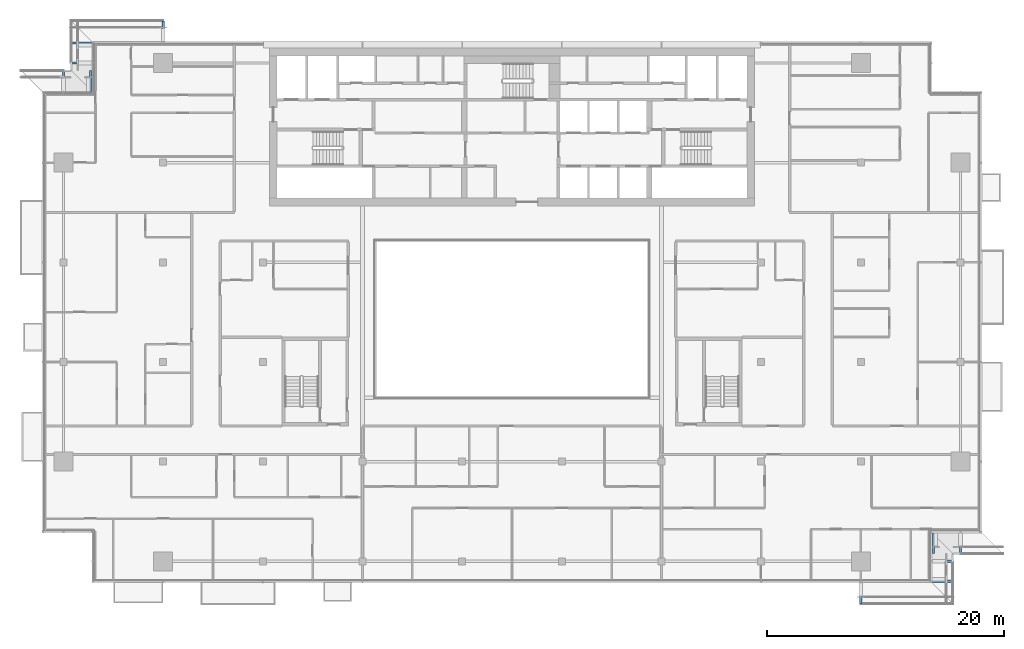
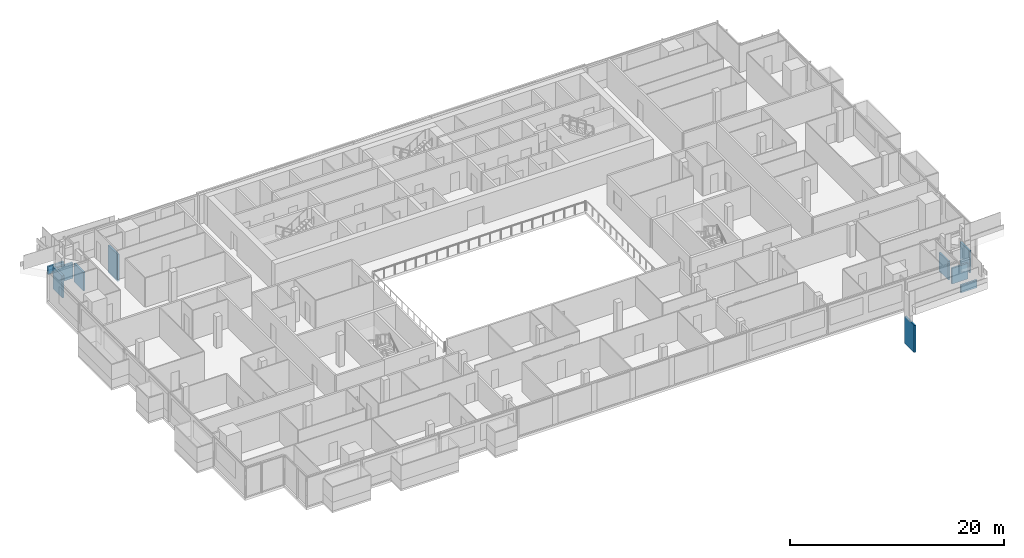
# One storey, part 25 of 30: 10 discrete accessories.
"""IFC4 building model written with IfcOpenShell, lengths in metres."""

from ifc_helpers import new_model, si_unit, direction, frame, origin, origin_2d, place, context, subcontext, project, spatial, rectangle, extrude, element, save


model = new_model("IFC4")

# Units and contexts
model_context = context("Model", 3, precision=1e-05, world=origin(), true_north=direction((0.0, 1.0)))
body_context = subcontext(model_context, "Body", "Model", "MODEL_VIEW")
ifc_project = project(units=[si_unit("LENGTHUNIT", "METRE"), si_unit("AREAUNIT", "SQUARE_METRE"), si_unit("VOLUMEUNIT", "CUBIC_METRE"), si_unit("PLANEANGLEUNIT", "RADIAN"), si_unit("MASSUNIT", "GRAM", prefix="KILO")], contexts=[model_context])

# Site, building, storey
site_placement = place(None, origin())
site = spatial("IfcSite", under=ifc_project, at=site_placement, CompositionType="ELEMENT")
building_placement = place(site_placement, origin())
building = spatial("IfcBuilding", under=site, at=building_placement, Name="Saffron Gate Tower", CompositionType="ELEMENT")
storey_placement = place(building_placement, frame((0.0, 0.0, 216.300048828125)))
storey = spatial("IfcBuildingStorey", under=building, at=storey_placement, Name="L52", CompositionType="ELEMENT", Elevation=216.300048828125)

# Discrete accessories
discrete_accessory_1_placement = place(storey_placement, frame((117.0, 29.125, -3.8798828125), z_axis=(0.0, 0.0, 1.0), x_axis=(1.0, 0.0, 0.0)))
element("IfcDiscreteAccessory", 1, at=discrete_accessory_1_placement, inside=storey, Name="LEDGE rib", PredefinedType="BRACKET", context=body_context, shape_type="SweptSolid", body=[
    extrude(rectangle(XDim=0.199951171875, YDim=1.75, at=origin_2d()), origin(), (0.0, 0.0, 1.0), 3.106201171875),
])
discrete_accessory_2_placement = place(storey_placement, frame((123.875, 30.1201171875, -0.280029296875), z_axis=(0.0, 0.0, 1.0), x_axis=(0.0, 1.0, 0.0)))
element("IfcDiscreteAccessory", 2, at=discrete_accessory_2_placement, inside=storey, Name="LEDGE rib", PredefinedType="BRACKET", context=body_context, shape_type="SweptSolid", body=[
    extrude(rectangle(XDim=0.199951171875, YDim=1.75, at=origin_2d()), origin(), (0.0, 0.0, 1.0), 0.87939453125),
])
discrete_accessory_3_placement = place(storey_placement, frame((123.875, 31.800048828125, -0.280029296875), z_axis=(0.0, 0.0, 1.0), x_axis=(0.0, 1.0, 0.0)))
element("IfcDiscreteAccessory", 3, at=discrete_accessory_3_placement, inside=storey, Name="LEDGE rib", PredefinedType="BRACKET", context=body_context, shape_type="SweptSolid", body=[
    extrude(rectangle(XDim=0.199951171875, YDim=1.75, at=origin_2d()), origin(), (0.0, 0.0, 1.0), 1.78857421875),
])
discrete_accessory_4_placement = place(storey_placement, frame((123.1201171875, 33.324951171875, -0.27978515625), z_axis=(0.0, 0.0, 1.0), x_axis=(1.0, 0.0, 0.0)))
element("IfcDiscreteAccessory", 4, at=discrete_accessory_4_placement, inside=storey, Name="LEDGE rib", PredefinedType="BRACKET", context=body_context, shape_type="SweptSolid", body=[
    extrude(rectangle(XDim=0.199951171875, YDim=1.75, at=origin_2d()), origin(), (0.0, 0.0, 1.0), 2.114990234375),
])
discrete_accessory_5_placement = place(storey_placement, frame((125.39990234375, 33.324951171875, -0.27978515625), z_axis=(0.0, 0.0, 1.0), x_axis=(1.0, 0.0, 0.0)))
element("IfcDiscreteAccessory", 5, at=discrete_accessory_5_placement, inside=storey, Name="LEDGE rib", PredefinedType="BRACKET", context=body_context, shape_type="SweptSolid", body=[
    extrude(rectangle(XDim=0.199951171875, YDim=1.75, at=origin_2d()), origin(), (0.0, 0.0, 1.0), 2.527099609375),
])
discrete_accessory_6_placement = place(storey_placement, frame((58.199951171875, 76.47509765625, -3.8798828125), z_axis=(0.0, 0.0, 1.0), x_axis=(-1.0, 0.0, 0.0)))
element("IfcDiscreteAccessory", 6, at=discrete_accessory_6_placement, inside=storey, Name="LEDGE rib", PredefinedType="BRACKET", context=body_context, shape_type="SweptSolid", body=[
    extrude(rectangle(XDim=0.199951171875, YDim=1.75, at=origin_2d()), origin(), (0.0, 0.0, 1.0), 3.106201171875),
])
discrete_accessory_7_placement = place(storey_placement, frame((51.324951171875, 75.47998046875, -0.280029296875), z_axis=(0.0, 0.0, 1.0), x_axis=(0.0, -1.0, 0.0)))
element("IfcDiscreteAccessory", 7, at=discrete_accessory_7_placement, inside=storey, Name="LEDGE rib", PredefinedType="BRACKET", context=body_context, shape_type="SweptSolid", body=[
    extrude(rectangle(XDim=0.199951171875, YDim=1.75, at=origin_2d()), origin(), (0.0, 0.0, 1.0), 0.87939453125),
])
discrete_accessory_8_placement = place(storey_placement, frame((51.324951171875, 73.800048828125, -0.280029296875), z_axis=(0.0, 0.0, 1.0), x_axis=(0.0, -1.0, 0.0)))
element("IfcDiscreteAccessory", 8, at=discrete_accessory_8_placement, inside=storey, Name="LEDGE rib", PredefinedType="BRACKET", context=body_context, shape_type="SweptSolid", body=[
    extrude(rectangle(XDim=0.199951171875, YDim=1.75, at=origin_2d()), origin(), (0.0, 0.0, 1.0), 1.78857421875),
])
discrete_accessory_9_placement = place(storey_placement, frame((52.080078125, 72.27490234375, -0.27978515625), z_axis=(0.0, 0.0, 1.0), x_axis=(-1.0, 0.0, 0.0)))
element("IfcDiscreteAccessory", 9, at=discrete_accessory_9_placement, inside=storey, Name="LEDGE rib", PredefinedType="BRACKET", context=body_context, shape_type="SweptSolid", body=[
    extrude(rectangle(XDim=0.199951171875, YDim=1.75, at=origin_2d()), origin(), (0.0, 0.0, 1.0), 2.114990234375),
])
discrete_accessory_10_placement = place(storey_placement, frame((49.800048828125, 72.27490234375, -0.27978515625), z_axis=(0.0, 0.0, 1.0), x_axis=(-1.0, 0.0, 0.0)))
element("IfcDiscreteAccessory", 10, at=discrete_accessory_10_placement, inside=storey, Name="LEDGE rib", PredefinedType="BRACKET", context=body_context, shape_type="SweptSolid", body=[
    extrude(rectangle(XDim=0.199951171875, YDim=1.75, at=origin_2d()), origin(), (0.0, 0.0, 1.0), 2.527099609375),
])

save(model, "model.ifc")
